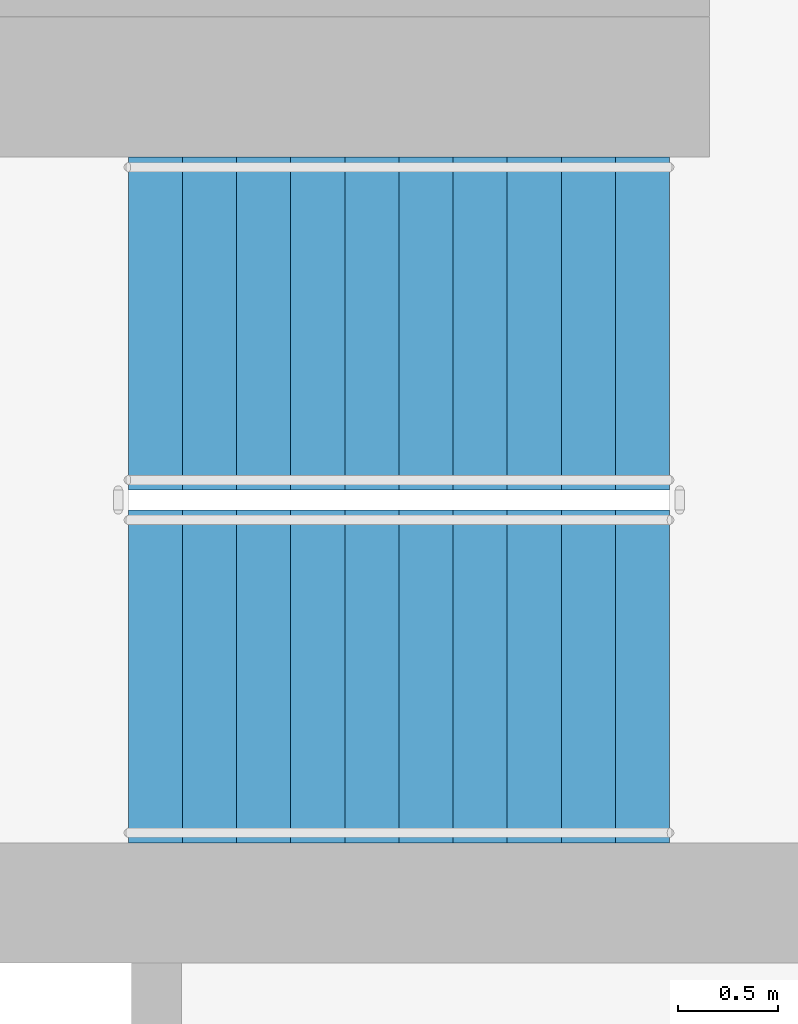
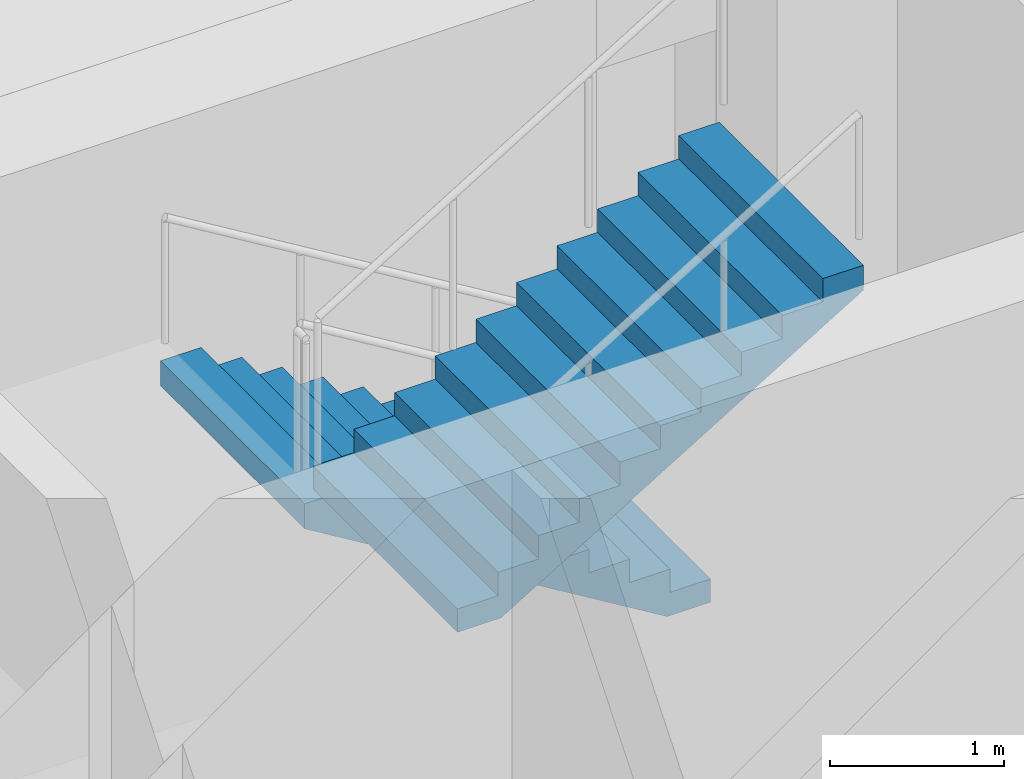
# One storey, part 11 of 16: 2 stair flights, 1 element without a shape of its own.
"""IFC4 building model written with IfcOpenShell, lengths in metres."""

from ifc_helpers import new_model, si_unit, direction, frame, origin, place, context, subcontext, project, spatial, polyline, outline, extrude, material, type_object, element, aggregate, save


model = new_model("IFC4")

# Units and contexts
model_context = context("Model", 3, precision=1e-05, world=origin(), true_north=direction((0.0, 1.0)))
body_context = subcontext(model_context, "Body", "Model", "MODEL_VIEW")
ifc_project = project(units=[si_unit("LENGTHUNIT", "METRE"), si_unit("AREAUNIT", "SQUARE_METRE"), si_unit("VOLUMEUNIT", "CUBIC_METRE"), si_unit("PLANEANGLEUNIT", "RADIAN"), si_unit("MASSUNIT", "GRAM", prefix="KILO")], contexts=[model_context])

# Site, building, storey
site_placement = place(None, origin())
site = spatial("IfcSite", under=ifc_project, at=site_placement, CompositionType="ELEMENT")
building_placement = place(site_placement, origin())
building = spatial("IfcBuilding", under=site, at=building_placement, Name="Vermilion Reach Broadcast Tower", CompositionType="ELEMENT")
storey_placement = place(building_placement, frame((0.0, 0.0, 110.199951171875)))
storey = spatial("IfcBuildingStorey", under=building, at=storey_placement, Name="L25", CompositionType="ELEMENT", Elevation=110.199951171875)

# Stair, stair flights
ifc_material_1 = material(Name="Concrete C40", Category="concrete")
stair_type = type_object("IfcStairType", Name="Exit stair RC 22 risers 164 mm", PredefinedType="HALF_TURN_STAIR", material=ifc_material_1)
stair_placement = place(storey_placement, origin())
stair = element("IfcStair", 1, at=stair_placement, inside=storey, type_object=stair_type, Name="L25 Exit stair ST2", PredefinedType="HALF_TURN_STAIR")
ifc_material_2 = material(Name="Concrete C40", Category="concrete")
stair_flight_type = type_object("IfcStairFlightType", Name="Exit stair flight RC 11 risers", PredefinedType="STRAIGHT", material=ifc_material_2)
stair_flight_1_placement = place(storey_placement, frame((-1.0, 6.469970703125, 0.0), z_axis=(0.0, 0.0, 1.0), x_axis=(-1.0, 0.0, 0.0)))
stair_flight_1 = element("IfcStairFlight", 2, at=stair_flight_1_placement, type_object=stair_flight_type, Name="ST2 flight 1", NumberOfRisers=11, NumberOfTreads=10, PredefinedType="STRAIGHT", RiserHeight=0.163636364, TreadLength=0.27, context=body_context, shape_type="SweptSolid", body=[
    extrude(outline(polyline([(0.0, 0.0), (0.0, 0.16357421875), (0.27001953125, 0.16357421875), (0.27001953125, 0.327392578125), (0.5400390625, 0.327392578125), (0.5400390625, 0.490966796875), (0.81005859375, 0.490966796875), (0.81005859375, 0.654541015625), (1.080078125, 0.654541015625), (1.080078125, 0.818115234375), (1.35009765625, 0.818115234375), (1.35009765625, 0.98193359375), (1.6201171875, 0.98193359375), (1.6201171875, 1.1455078125), (1.889892578125, 1.1455078125), (1.889892578125, 1.30908203125), (2.159912109375, 1.30908203125), (2.159912109375, 1.47265625), (2.429931640625, 1.47265625), (2.429931640625, 1.636474609375), (2.699951171875, 1.636474609375), (2.699951171875, 1.800048828125), (2.699951171875, 1.461181640625), (0.289306640625, 0.0), (0.0, 0.0)])), frame((0.0, 0.830078125, 0.0), z_axis=(0.0, -1.0, 0.0), x_axis=(1.0, 0.0, 0.0)), (0.0, 0.0, 1.0), 1.659912109375),
])
stair_flight_2_placement = place(storey_placement, frame((-3.699951171875, 4.7099609375, 1.800048828125), z_axis=(0.0, 0.0, 1.0), x_axis=(1.0, 0.0, 0.0)))
stair_flight_2 = element("IfcStairFlight", 3, at=stair_flight_2_placement, type_object=stair_flight_type, Name="ST2 flight 2", NumberOfRisers=11, NumberOfTreads=10, PredefinedType="STRAIGHT", RiserHeight=0.163636364, TreadLength=0.27, context=body_context, shape_type="SweptSolid", body=[
    extrude(outline(polyline([(0.0, 0.0), (0.0, 0.16357421875), (0.27001953125, 0.16357421875), (0.27001953125, 0.327392578125), (0.5400390625, 0.327392578125), (0.5400390625, 0.490966796875), (0.81005859375, 0.490966796875), (0.81005859375, 0.654541015625), (1.080078125, 0.654541015625), (1.080078125, 0.818115234375), (1.35009765625, 0.818115234375), (1.35009765625, 0.98193359375), (1.6201171875, 0.98193359375), (1.6201171875, 1.1455078125), (1.889892578125, 1.1455078125), (1.889892578125, 1.30908203125), (2.159912109375, 1.30908203125), (2.159912109375, 1.47265625), (2.429931640625, 1.47265625), (2.429931640625, 1.636474609375), (2.699951171875, 1.636474609375), (2.699951171875, 1.800048828125), (2.699951171875, 1.461181640625), (0.289306640625, 0.0), (0.0, 0.0)])), frame((0.0, 0.830078125, 0.0), z_axis=(0.0, -1.0, 0.0), x_axis=(1.0, 0.0, 0.0)), (0.0, 0.0, 1.0), 1.659912109375),
])
aggregate(stair, [stair_flight_1, stair_flight_2])

save(model, "model.ifc")
